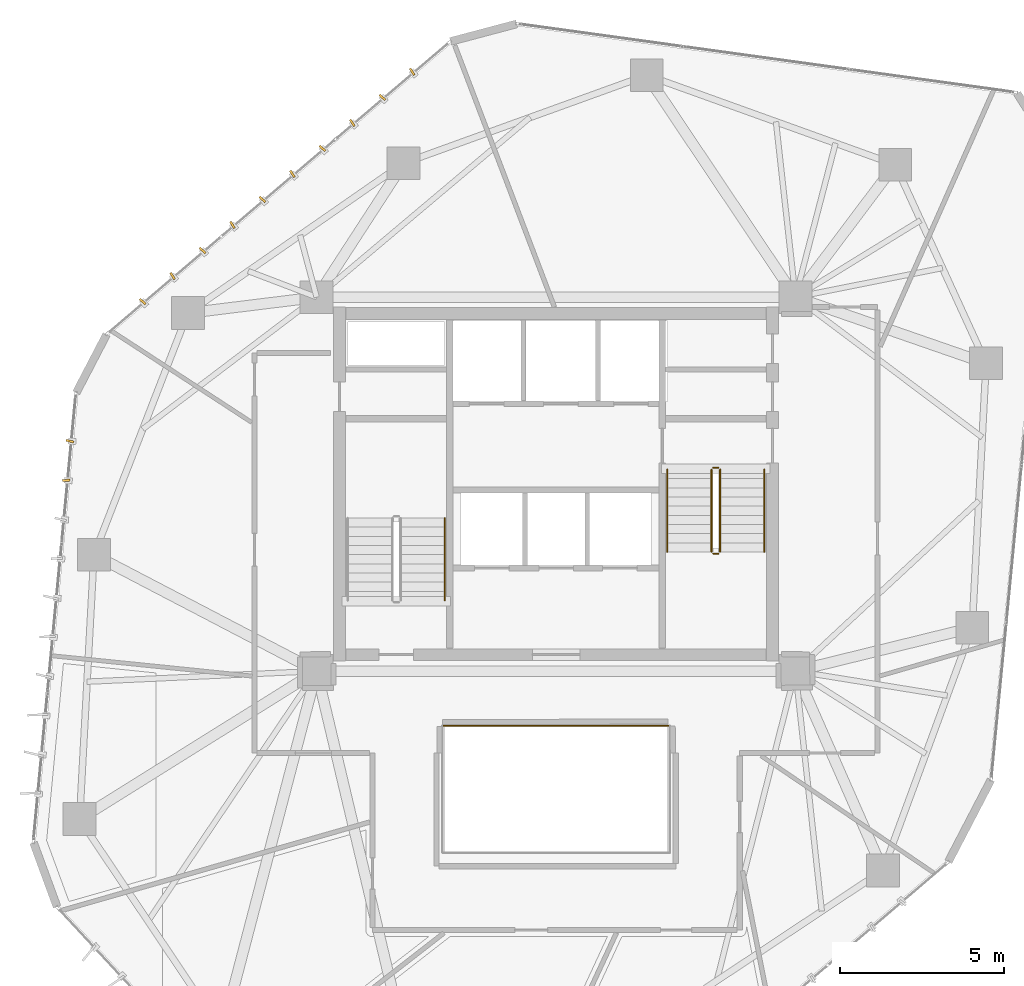
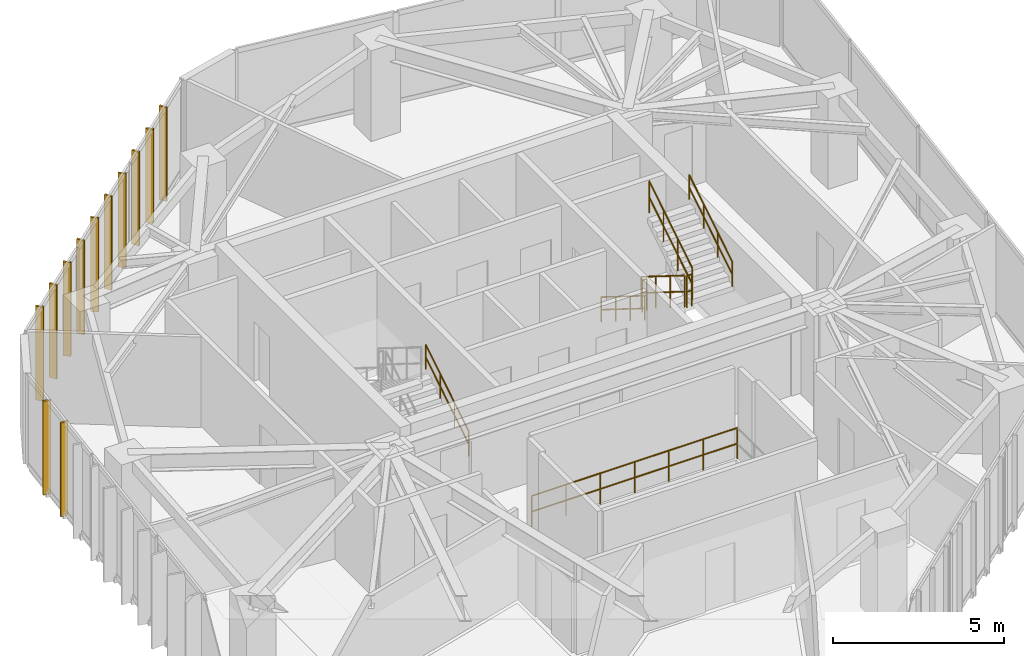
# One storey, part 21 of 21: 12 shading devices, 8 railings.
"""IFC4 building model written with IfcOpenShell, lengths in metres."""

from ifc_helpers import new_model, si_unit, direction, frame, origin, origin_2d, place, context, subcontext, project, spatial, rectangle, circle, extrude, source, transform, mapped, material, layer, layer_set, type_object, type_shapes, element, save


model = new_model("IFC4")

# Units and contexts
model_context = context("Model", 3, precision=1e-05, world=origin(), true_north=direction((0.0, 1.0)))
body_context = subcontext(model_context, "Body", "Model", "MODEL_VIEW")
ifc_project = project(units=[si_unit("LENGTHUNIT", "METRE"), si_unit("AREAUNIT", "SQUARE_METRE"), si_unit("VOLUMEUNIT", "CUBIC_METRE"), si_unit("PLANEANGLEUNIT", "RADIAN"), si_unit("MASSUNIT", "GRAM", prefix="KILO")], contexts=[model_context])

# Site, building, storey
site_placement = place(None, origin())
site = spatial("IfcSite", under=ifc_project, at=site_placement, CompositionType="ELEMENT")
building_placement = place(site_placement, origin())
building = spatial("IfcBuilding", under=site, at=building_placement, Name="Talar Marvaseh", CompositionType="ELEMENT")
storey_placement = place(building_placement, frame((0.0, 0.0, 225.699951171875)))
storey = spatial("IfcBuildingStorey", under=building, at=storey_placement, Name="L59", CompositionType="ELEMENT", Elevation=225.699951171875)

# Railings
ifc_material_1 = material(Name="Stainless Steel Grade 316", Category="steel")
railing_type_1 = type_object("IfcRailingType", Name="Brushed Stainless Wall Pitch Handrail 900", PredefinedType="HANDRAIL", material=ifc_material_1)
railing_1_placement = place(storey_placement, frame((22.610107421875, 27.64990234375, 0.175048828125)))
element("IfcRailing", 1, at=railing_1_placement, inside=storey, type_object=railing_type_1, Name="L59 ST-1 stair handrail 1", PredefinedType="HANDRAIL", context=body_context, shape_type="SweptSolid", body=[
    extrude(circle(Radius=0.02392578125, at=origin_2d()), frame((0.0, 0.0, 0.8759765625), z_axis=(0.0, 0.848007534815, 0.529984170421), x_axis=(-1.0, 0.0, 0.0)), (0.0, 0.0, 1.0), 2.9716796875),
    extrude(circle(Radius=0.02392578125, at=origin_2d()), frame((0.0, 0.0, 0.42578125), z_axis=(0.0, 0.848007534815, 0.529984170421), x_axis=(-1.0, 0.0, 0.0)), (0.0, 0.0, 1.0), 2.9716796875),
    extrude(circle(Radius=0.02099609375, at=origin_2d()), origin(), (0.0, 0.0, 1.0), 0.851806640625),
    extrude(circle(Radius=0.02099609375, at=origin_2d()), frame((0.0, 0.840087890625, 0.52490234375)), (0.0, 0.0, 1.0), 0.851806640625),
    extrude(circle(Radius=0.02099609375, at=origin_2d()), frame((0.0, 1.679931640625, 1.050048828125)), (0.0, 0.0, 1.0), 0.851806640625),
    extrude(circle(Radius=0.02099609375, at=origin_2d()), frame((0.0, 2.52001953125, 1.574951171875)), (0.0, 0.0, 1.0), 0.851806640625),
])
railing_2_placement = place(storey_placement, frame((29.389892578125, 31.64990234375, 0.175048828125)))
element("IfcRailing", 2, at=railing_2_placement, inside=storey, type_object=railing_type_1, Name="L59 ST-2 stair handrail 1", PredefinedType="HANDRAIL", context=body_context, shape_type="SweptSolid", body=[
    extrude(circle(Radius=0.02392578125, at=origin_2d()), frame((0.0, 0.0, 0.8759765625), z_axis=(0.0, -0.848007534815, 0.529984170421), x_axis=(1.0, 0.0, 0.0)), (0.0, 0.0, 1.0), 2.9716796875),
    extrude(circle(Radius=0.02392578125, at=origin_2d()), frame((0.0, 0.0, 0.42578125), z_axis=(0.0, -0.848007534815, 0.529984170421), x_axis=(1.0, 0.0, 0.0)), (0.0, 0.0, 1.0), 2.9716796875),
    extrude(circle(Radius=0.02099609375, at=origin_2d()), origin(), (0.0, 0.0, 1.0), 0.851806640625),
    extrude(circle(Radius=0.02099609375, at=origin_2d()), frame((0.0, -0.840087890625, 0.52490234375)), (0.0, 0.0, 1.0), 0.851806640625),
    extrude(circle(Radius=0.02099609375, at=origin_2d()), frame((0.0, -1.679931640625, 1.050048828125)), (0.0, 0.0, 1.0), 0.851806640625),
    extrude(circle(Radius=0.02099609375, at=origin_2d()), frame((0.0, -2.52001953125, 1.574951171875)), (0.0, 0.0, 1.0), 0.851806640625),
])
railing_3_placement = place(storey_placement, frame((32.35009765625, 29.1298828125, 1.925048828125)))
element("IfcRailing", 3, at=railing_3_placement, inside=storey, type_object=railing_type_1, Name="L59 ST-2 stair handrail 2", PredefinedType="HANDRAIL", context=body_context, shape_type="SweptSolid", body=[
    extrude(circle(Radius=0.02392578125, at=origin_2d()), frame((0.0, 0.0, 0.8759765625), z_axis=(0.0, 0.848007534815, 0.529984170421), x_axis=(-1.0, 0.0, 0.0)), (0.0, 0.0, 1.0), 2.9716796875),
    extrude(circle(Radius=0.02392578125, at=origin_2d()), frame((0.0, 0.0, 0.42578125), z_axis=(0.0, 0.848007534815, 0.529984170421), x_axis=(-1.0, 0.0, 0.0)), (0.0, 0.0, 1.0), 2.9716796875),
    extrude(circle(Radius=0.02099609375, at=origin_2d()), origin(), (0.0, 0.0, 1.0), 0.851806640625),
    extrude(circle(Radius=0.02099609375, at=origin_2d()), frame((0.0, 0.840087890625, 0.52490234375)), (0.0, 0.0, 1.0), 0.851806640625),
    extrude(circle(Radius=0.02099609375, at=origin_2d()), frame((0.0, 1.679931640625, 1.050048828125)), (0.0, 0.0, 1.0), 0.851806640625),
    extrude(circle(Radius=0.02099609375, at=origin_2d()), frame((0.0, 2.52001953125, 1.574951171875)), (0.0, 0.0, 1.0), 0.851806640625),
])
ifc_material_2 = material(Name="Tempered Clear Glass", Category="glass")
railing_type_2 = type_object("IfcRailingType", Name="Interior Atrium Edge Balustrade 1120", PredefinedType="BALUSTRADE", material=ifc_material_2)
railing_4_placement = place(storey_placement, frame((29.4697265625, 23.839111328125, 0.0)))
element("IfcRailing", 4, at=railing_4_placement, inside=storey, type_object=railing_type_2, Name="L59 Internal Daylight Atrium Balustrade 3", PredefinedType="BALUSTRADE", context=body_context, shape_type="SweptSolid", body=[
    extrude(circle(Radius=0.02392578125, at=origin_2d()), frame((0.0, 0.0, 1.09619140625), z_axis=(-1.0, 0.0, 0.0), x_axis=(0.0, -1.0, 0.0)), (0.0, 0.0, 1.0), 6.939453125),
    extrude(circle(Radius=0.02392578125, at=origin_2d()), frame((0.0, 0.0, 0.5361328125), z_axis=(-1.0, 0.0, 0.0), x_axis=(0.0, -1.0, 0.0)), (0.0, 0.0, 1.0), 6.939453125),
    extrude(circle(Radius=0.02099609375, at=origin_2d()), origin(), (0.0, 0.0, 1.0), 1.072021484375),
    extrude(circle(Radius=0.02099609375, at=origin_2d()), frame((-1.156494140625, 0.0, 0.0)), (0.0, 0.0, 1.0), 1.072021484375),
    extrude(circle(Radius=0.02099609375, at=origin_2d()), frame((-2.313232421875, 0.0, 0.0)), (0.0, 0.0, 1.0), 1.072021484375),
    extrude(circle(Radius=0.02099609375, at=origin_2d()), frame((-3.4697265625, 0.0, 0.0)), (0.0, 0.0, 1.0), 1.072021484375),
    extrude(circle(Radius=0.02099609375, at=origin_2d()), frame((-4.626220703125, 0.0, 0.0)), (0.0, 0.0, 1.0), 1.072021484375),
    extrude(circle(Radius=0.02099609375, at=origin_2d()), frame((-5.782958984375, 0.0, 0.0)), (0.0, 0.0, 1.0), 1.072021484375),
    extrude(circle(Radius=0.02099609375, at=origin_2d()), frame((-6.939453125, 0.0, 0.0)), (0.0, 0.0, 1.0), 1.072021484375),
])
railing_type_3 = type_object("IfcRailingType", Name="Painted Steel Core Stair Well Guardrail 1150", PredefinedType="GUARDRAIL", material=ifc_material_1)
railing_5_placement = place(storey_placement, frame((30.739990234375, 31.64990234375, 0.175048828125)))
element("IfcRailing", 5, at=railing_5_placement, inside=storey, type_object=railing_type_3, Name="L59 ST-2 stair guard 1", PredefinedType="GUARDRAIL", context=body_context, shape_type="SweptSolid", body=[
    extrude(circle(Radius=0.02392578125, at=origin_2d()), frame((0.0, 0.0, 1.1259765625), z_axis=(0.0, -0.848007534815, 0.529984170421), x_axis=(1.0, 0.0, 0.0)), (0.0, 0.0, 1.0), 2.9716796875),
    extrude(circle(Radius=0.02392578125, at=origin_2d()), frame((0.0, 0.0, 0.55078125), z_axis=(0.0, -0.848007534815, 0.529984170421), x_axis=(1.0, 0.0, 0.0)), (0.0, 0.0, 1.0), 2.9716796875),
    extrude(circle(Radius=0.02099609375, at=origin_2d()), origin(), (0.0, 0.0, 1.0), 1.101806640625),
    extrude(circle(Radius=0.02099609375, at=origin_2d()), frame((0.0, -0.840087890625, 0.52490234375)), (0.0, 0.0, 1.0), 1.101806640625),
    extrude(circle(Radius=0.02099609375, at=origin_2d()), frame((0.0, -1.679931640625, 1.050048828125)), (0.0, 0.0, 1.0), 1.101806640625),
    extrude(circle(Radius=0.02099609375, at=origin_2d()), frame((0.0, -2.52001953125, 1.574951171875)), (0.0, 0.0, 1.0), 1.101806640625),
])
railing_6_placement = place(storey_placement, frame((30.7900390625, 29.080078125, 1.75)))
element("IfcRailing", 6, at=railing_6_placement, inside=storey, type_object=railing_type_3, Name="L59 ST-2 stair guard 2", PredefinedType="GUARDRAIL", context=body_context, shape_type="SweptSolid", body=[
    extrude(circle(Radius=0.02392578125, at=origin_2d()), frame((0.0, 0.0, 1.1259765625), z_axis=(1.0, 0.0, 0.0), x_axis=(0.0, 1.0, 0.0)), (0.0, 0.0, 1.0), 0.159912109375),
    extrude(circle(Radius=0.02392578125, at=origin_2d()), frame((0.0, 0.0, 0.55078125), z_axis=(1.0, 0.0, 0.0), x_axis=(0.0, 1.0, 0.0)), (0.0, 0.0, 1.0), 0.159912109375),
    extrude(circle(Radius=0.02099609375, at=origin_2d()), origin(), (0.0, 0.0, 1.0), 1.101806640625),
    extrude(circle(Radius=0.02099609375, at=origin_2d()), frame((0.159912109375, 0.0, 0.0)), (0.0, 0.0, 1.0), 1.101806640625),
])
railing_7_placement = place(storey_placement, frame((31.0, 29.1298828125, 1.925048828125)))
element("IfcRailing", 7, at=railing_7_placement, inside=storey, type_object=railing_type_3, Name="L59 ST-2 stair guard 3", PredefinedType="GUARDRAIL", context=body_context, shape_type="SweptSolid", body=[
    extrude(circle(Radius=0.02392578125, at=origin_2d()), frame((0.0, 0.0, 1.1259765625), z_axis=(0.0, 0.848007534815, 0.529984170421), x_axis=(-1.0, 0.0, 0.0)), (0.0, 0.0, 1.0), 2.9716796875),
    extrude(circle(Radius=0.02392578125, at=origin_2d()), frame((0.0, 0.0, 0.55078125), z_axis=(0.0, 0.848007534815, 0.529984170421), x_axis=(-1.0, 0.0, 0.0)), (0.0, 0.0, 1.0), 2.9716796875),
    extrude(circle(Radius=0.02099609375, at=origin_2d()), origin(), (0.0, 0.0, 1.0), 1.101806640625),
    extrude(circle(Radius=0.02099609375, at=origin_2d()), frame((0.0, 0.840087890625, 0.52490234375)), (0.0, 0.0, 1.0), 1.101806640625),
    extrude(circle(Radius=0.02099609375, at=origin_2d()), frame((0.0, 1.679931640625, 1.050048828125)), (0.0, 0.0, 1.0), 1.101806640625),
    extrude(circle(Radius=0.02099609375, at=origin_2d()), frame((0.0, 2.52001953125, 1.574951171875)), (0.0, 0.0, 1.0), 1.101806640625),
])
railing_8_placement = place(storey_placement, frame((30.7900390625, 31.699951171875, 0.0)))
element("IfcRailing", 8, at=railing_8_placement, inside=storey, type_object=railing_type_3, Name="L59 ST-2 stair guard 4", PredefinedType="GUARDRAIL", context=body_context, shape_type="SweptSolid", body=[
    extrude(circle(Radius=0.02392578125, at=origin_2d()), frame((0.0, 0.0, 1.1259765625), z_axis=(1.0, 0.0, 0.0), x_axis=(0.0, 1.0, 0.0)), (0.0, 0.0, 1.0), 0.159912109375),
    extrude(circle(Radius=0.02392578125, at=origin_2d()), frame((0.0, 0.0, 0.55078125), z_axis=(1.0, 0.0, 0.0), x_axis=(0.0, 1.0, 0.0)), (0.0, 0.0, 1.0), 0.159912109375),
    extrude(circle(Radius=0.02099609375, at=origin_2d()), origin(), (0.0, 0.0, 1.0), 1.101806640625),
    extrude(circle(Radius=0.02099609375, at=origin_2d()), frame((0.159912109375, 0.0, 0.0)), (0.0, 0.0, 1.0), 1.101806640625),
])

# Shading devices
ifc_material_3 = material(Name="Anodised Champagne Bronze Aluminium", Category="aluminium")
ifc_layer = layer(ifc_material_3, 0.06494140625)
ifc_layer_set = layer_set([ifc_layer], Name="Anodised Champagne Bronze Aluminium")
shading_device_type = type_object("IfcShadingDeviceType", Name="Sawtooth Champagne Bronze Vertical Fin 240", PredefinedType="USERDEFINED", material=ifc_layer_set)
shared_shape = source(origin(), body_context, "Body", "SweptSolid", [
    extrude(rectangle(XDim=0.239990234375, YDim=0.06494140625, at=origin_2d()), origin(), (0.0, 0.0, 1.0), 3.35009765625),
])
type_shapes(shading_device_type, [shared_shape])
for number, where, z_axis, x_axis, name in (
    (9, (11.063720703125, 31.31640625, -0.1201171875), (0.0, 0.0, 1.0), (-0.998994184858, -0.044839922168, 0.0), "L59 Sawtooth Vertical Solar Fin"),
    (10, (11.177490234375, 32.510986328125, -0.1201171875), (0.0, 0.0, 1.0), (-0.97265440195, 0.232257215962, 0.0), "L59 Sawtooth Vertical Solar Fin"),
    (11, (13.393310546875, 36.767822265625, -0.1201171875), (0.0, 0.0, 1.0), (-0.748145618928, 0.663534575496, 0.0), "L59 Sawtooth Vertical Solar Fin"),
    (12, (14.306640625, 37.5458984375, -0.1201171875), (0.0, 0.0, 1.0), (-0.536268810577, 0.844047251522, 0.0), "L59 Sawtooth Vertical Solar Fin"),
    (13, (15.22021484375, 38.32421875, -0.1201171875), (0.0, 0.0, 1.0), (-0.748145618928, 0.663534575496, 0.0), "L59 Sawtooth Vertical Solar Fin"),
    (14, (16.133544921875, 39.1025390625, -0.1201171875), (0.0, 0.0, 1.0), (-0.536268810577, 0.844047251522, 0.0), "L59 Sawtooth Vertical Solar Fin"),
    (15, (17.046875, 39.880859375, -0.1201171875), (0.0, 0.0, 1.0), (-0.748145618928, 0.663534575496, 0.0), "L59 Sawtooth Vertical Solar Fin"),
    (16, (17.960205078125, 40.6591796875, -0.1201171875), (0.0, 0.0, 1.0), (-0.536268810577, 0.844047251522, 0.0), "L59 Sawtooth Vertical Solar Fin"),
    (17, (18.873779296875, 41.437255859375, -0.1201171875), (0.0, 0.0, 1.0), (-0.748145618928, 0.663534575496, 0.0), "L59 Sawtooth Vertical Solar Fin"),
    (18, (19.787109375, 42.215576171875, -0.1201171875), (0.0, 0.0, 1.0), (-0.536268810577, 0.844047251522, 0.0), "L59 Sawtooth Vertical Solar Fin"),
    (19, (20.700439453125, 42.993896484375, -0.1201171875), (0.0, 0.0, 1.0), (-0.748145618928, 0.663534575496, 0.0), "L59 Sawtooth Vertical Solar Fin"),
    (20, (21.614013671875, 43.772216796875, -0.1201171875), (0.0, 0.0, 1.0), (-0.536268810577, 0.844047251522, 0.0), "L59 Sawtooth Vertical Solar Fin"),
):
    element("IfcShadingDevice", number, at=place(storey_placement, frame(where, z_axis=z_axis, x_axis=x_axis)), inside=storey, type_object=shading_device_type, Name=name, ObjectType="FIN", PredefinedType="USERDEFINED", context=body_context, shape_type="MappedRepresentation", body=[
        mapped(shared_shape, transform((0.0, 0.0, 0.0), x_axis=(1.0, 0.0, 0.0), y_axis=(0.0, 1.0, 0.0), z_axis=(0.0, 0.0, 1.0), scale=1.0)),
    ])

save(model, "model.ifc")
